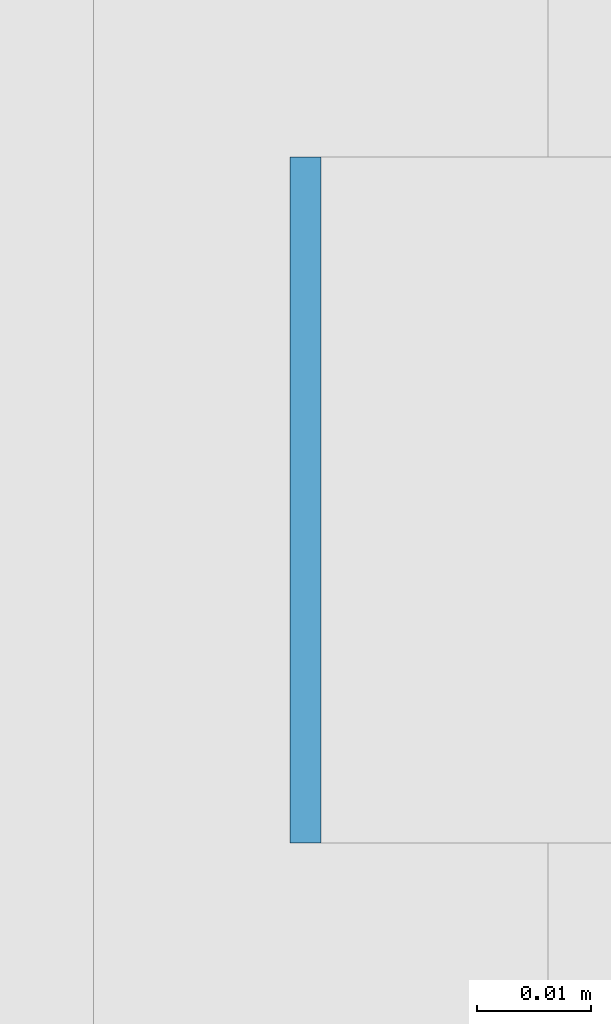
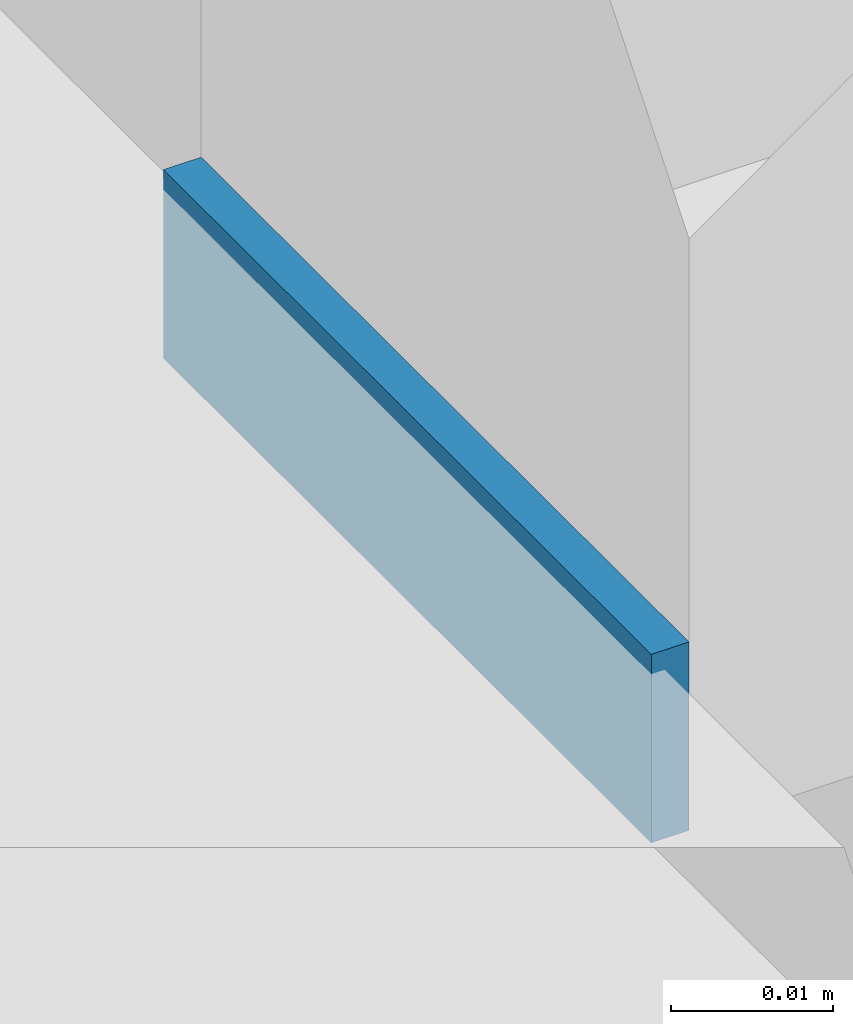
# One storey, part 486 of 646: 1 discrete accessory.
"""IFC4 building model written with IfcOpenShell, lengths in metres."""

from ifc_helpers import new_model, si_unit, direction, frame, origin, origin_2d, place, context, subcontext, project, spatial, rectangle, extrude, material, type_object, element, save


model = new_model("IFC4")

# Units and contexts
model_context = context("Model", 3, precision=1e-05, world=origin(), true_north=direction((0.0, 1.0)))
body_context = subcontext(model_context, "Body", "Model", "MODEL_VIEW")
ifc_project = project(units=[si_unit("LENGTHUNIT", "METRE"), si_unit("AREAUNIT", "SQUARE_METRE"), si_unit("VOLUMEUNIT", "CUBIC_METRE"), si_unit("PLANEANGLEUNIT", "RADIAN"), si_unit("MASSUNIT", "GRAM", prefix="KILO")], contexts=[model_context])

# Site, building, storey
site_placement = place(None, origin())
site = spatial("IfcSite", under=ifc_project, at=site_placement, CompositionType="ELEMENT")
building_placement = place(site_placement, origin())
building = spatial("IfcBuilding", under=site, at=building_placement, Name="Silverbay Arena", CompositionType="ELEMENT")
storey_placement = place(building_placement, frame((0.0, 0.0, 33.5)))
storey = spatial("IfcBuildingStorey", under=building, at=storey_placement, Name="L05", CompositionType="ELEMENT", Elevation=33.5)

# Discrete accessory
ifc_material = material(Name="Steel S355", Category="steel")
discrete_accessory_type = type_object("IfcDiscreteAccessoryType", Name="Steel bracket plate", PredefinedType="BRACKET", material=ifc_material)
discrete_accessory_placement = place(storey_placement, frame((207.128662109375, 59.142822265625, 4.0), z_axis=(0.0, 0.0, 1.0), x_axis=(1.0, 0.0, 0.0)))
element("IfcDiscreteAccessory", 1, at=discrete_accessory_placement, inside=storey, type_object=discrete_accessory_type, Name="Curtain wall packing plate", PredefinedType="BRACKET", context=body_context, shape_type="SweptSolid", body=[
    extrude(rectangle(XDim=0.002685546875, YDim=0.06005859375, at=origin_2d()), origin(), (0.0, 0.0, 1.0), 0.01416015625),
])

save(model, "model.ifc")
